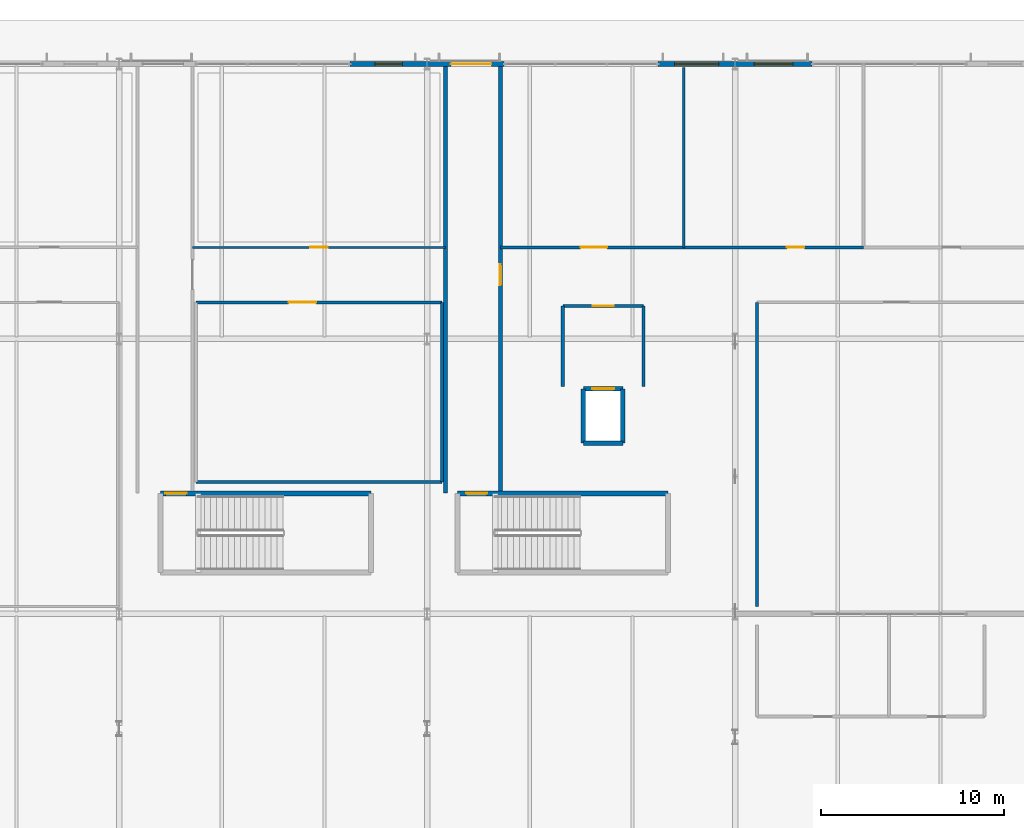
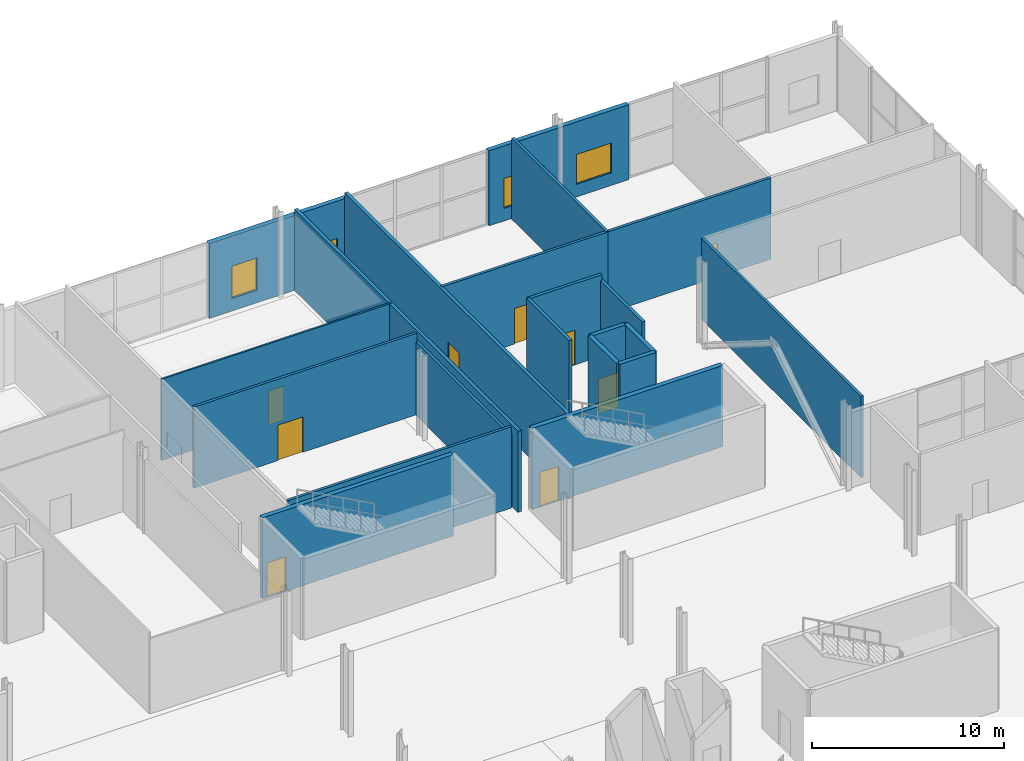
# One storey, part 66 of 87: 23 walls, 10 doors, 3 windows, 13 openings.
"""IFC4 building model written with IfcOpenShell, lengths in metres."""

from ifc_helpers import new_model, si_unit, direction, frame, frame_2d, origin, place, context, subcontext, project, spatial, rectangle, extrude, material, layer, layer_set, type_object, element, fill, save


model = new_model("IFC4")

# Units and contexts
model_context = context("Model", 3, precision=1e-05, world=origin(), true_north=direction((0.0, 1.0)))
body_context = subcontext(model_context, "Body", "Model", "MODEL_VIEW")
ifc_project = project(units=[si_unit("LENGTHUNIT", "METRE"), si_unit("AREAUNIT", "SQUARE_METRE"), si_unit("VOLUMEUNIT", "CUBIC_METRE"), si_unit("PLANEANGLEUNIT", "RADIAN"), si_unit("MASSUNIT", "GRAM", prefix="KILO")], contexts=[model_context])

# Site, building, storey
site_placement = place(None, origin())
site = spatial("IfcSite", under=ifc_project, at=site_placement, CompositionType="ELEMENT")
building_placement = place(site_placement, origin())
building = spatial("IfcBuilding", under=site, at=building_placement, Name="Kimbaza Rail Terminus", CompositionType="ELEMENT")
storey_placement = place(building_placement, origin())
storey = spatial("IfcBuildingStorey", under=building, at=storey_placement, Name="L00", CompositionType="ELEMENT", Elevation=0.0)

# Wall, opening, window
ifc_material_1 = material(Name="Precast concrete C40/50", Category="concrete")
ifc_layer_1 = layer(ifc_material_1, 0.280029296875)
ifc_layer_set_1 = layer_set([ifc_layer_1], Name="Precast concrete C40/50")
wall_type_1 = type_object("IfcWallType", Name="ARC-WL-EXT280", PredefinedType="STANDARD", material=ifc_layer_set_1)
wall_1_placement = place(storey_placement, frame((118.199951171875, 133.0, 0.0), z_axis=(0.0, 0.0, 1.0), x_axis=(1.0, 0.0, 0.0)))
wall_1 = element("IfcWall", 1, at=wall_1_placement, inside=storey, type_object=wall_type_1, Name="Operations North Pier L00 3B", PredefinedType="STANDARD", context=body_context, shape_type="SweptSolid", body=[
    extrude(rectangle(XDim=4.199951171875, YDim=0.280029296875, at=frame_2d((2.10009765625, 0.0))), origin(), (0.0, 0.0, 1.0), 4.764892578125),
])
opening_1_placement = place(wall_1_placement, frame((1.35009765625, 0.0, 0.800048828125)))
opening_1 = element("IfcOpeningElement", 2, at=opening_1_placement, cuts=wall_1, Name="Opening W-04", PredefinedType="OPENING", context=body_context, shape_type="SweptSolid", body=[
    extrude(rectangle(XDim=1.5, YDim=2.050048828125, at=frame_2d((0.75, 1.02490234375))), frame((0.0, 0.14990234375, 0.0), z_axis=(0.0, -1.0, 0.0), x_axis=(1.0, 0.0, 0.0)), (0.0, 0.0, 1.0), 0.300048828125),
])
ifc_material_2 = material(Name="Thermally broken aluminium and solar low-E glass", Category="aluminium")
window_type_1 = type_object("IfcWindowType", Name="ARC-WIN-W-04", PartitioningType="SINGLE_PANEL", PredefinedType="WINDOW", material=ifc_material_2)
window_1_placement = place(opening_1_placement, origin())
window_1 = element("IfcWindow", 3, at=window_1_placement, inside=storey, type_object=window_type_1, Name="North Facade Window W-04", OverallHeight=2.050048828125, OverallWidth=1.5, PartitioningType="SINGLE_PANEL", PredefinedType="WINDOW", context=body_context, shape_type="SweptSolid", body=[
    extrude(rectangle(XDim=1.5, YDim=2.050048828125, at=frame_2d((0.75, 1.02490234375))), frame((0.0, 0.030029296875, 0.0), z_axis=(0.0, -1.0, 0.0), x_axis=(1.0, 0.0, 0.0)), (0.0, 0.0, 1.0), 0.06005859375),
])
fill(opening_1, window_1)

# Wall, opening, door
wall_2_placement = place(storey_placement, frame((122.39990234375, 133.0, 0.0), z_axis=(0.0, 0.0, 1.0), x_axis=(1.0, 0.0, 0.0)))
wall_2 = element("IfcWall", 4, at=wall_2_placement, inside=storey, type_object=wall_type_1, Name="Operations North Pier L00 4A", PredefinedType="STANDARD", context=body_context, shape_type="SweptSolid", body=[
    extrude(rectangle(XDim=4.2001953125, YDim=0.280029296875, at=frame_2d((2.10009765625, 0.0))), origin(), (0.0, 0.0, 1.0), 4.764892578125),
])
opening_2_placement = place(wall_2_placement, frame((1.300048828125, 0.0, 0.0)))
opening_2 = element("IfcOpeningElement", 5, at=opening_2_placement, cuts=wall_2, Name="Opening D-EX2", PredefinedType="OPENING", context=body_context, shape_type="SweptSolid", body=[
    extrude(rectangle(XDim=2.199951171875, YDim=2.39990234375, at=frame_2d((1.10009765625, 1.199951171875))), frame((0.0, 0.14990234375, 0.0), z_axis=(0.0, -1.0, 0.0), x_axis=(1.0, 0.0, 0.0)), (0.0, 0.0, 1.0), 0.300048828125),
])
ifc_material_3 = material(Name="Anodised aluminium and toughened safety glass", Category="aluminium")
door_type_1 = type_object("IfcDoorType", Name="ARC-DR-EX220", OperationType="NOTDEFINED", PredefinedType="DOOR", material=ifc_material_3)
door_1_placement = place(opening_2_placement, origin())
door_1 = element("IfcDoor", 6, at=door_1_placement, inside=storey, type_object=door_type_1, Name="DR-EX-STE1", OperationType="SINGLE_SWING_LEFT", OverallHeight=2.39990234375, OverallWidth=2.199951171875, PredefinedType="DOOR", context=body_context, shape_type="SweptSolid", body=[
    extrude(rectangle(XDim=2.199951171875, YDim=2.39990234375, at=frame_2d((1.10009765625, 1.199951171875))), frame((0.0, 0.02490234375, 0.0), z_axis=(0.0, -1.0, 0.0), x_axis=(1.0, 0.0, 0.0)), (0.0, 0.0, 1.0), 0.050048828125),
])
fill(opening_2, door_1)

# Wall, opening, window
wall_3_placement = place(storey_placement, frame((135.0, 133.0, 0.0), z_axis=(0.0, 0.0, 1.0), x_axis=(1.0, 0.0, 0.0)))
wall_3 = element("IfcWall", 7, at=wall_3_placement, inside=storey, type_object=wall_type_1, Name="Operations North Pier L00 4B", PredefinedType="STANDARD", context=body_context, shape_type="SweptSolid", body=[
    extrude(rectangle(XDim=4.199951171875, YDim=0.280029296875, at=frame_2d((2.10009765625, 0.0))), origin(), (0.0, 0.0, 1.0), 4.764892578125),
])
opening_3_placement = place(wall_3_placement, frame((0.89990234375, 0.0, 0.800048828125)))
opening_3 = element("IfcOpeningElement", 8, at=opening_3_placement, cuts=wall_3, Name="Opening W-05", PredefinedType="OPENING", context=body_context, shape_type="SweptSolid", body=[
    extrude(rectangle(XDim=2.39990234375, YDim=1.89990234375, at=frame_2d((1.199951171875, 0.949951171875))), frame((0.0, 0.14990234375, 0.0), z_axis=(0.0, -1.0, 0.0), x_axis=(1.0, 0.0, 0.0)), (0.0, 0.0, 1.0), 0.300048828125),
])
ifc_material_4 = material(Name="Thermally broken aluminium and solar low-E glass", Category="aluminium")
window_type_2 = type_object("IfcWindowType", Name="ARC-WIN-W-05", PartitioningType="SINGLE_PANEL", PredefinedType="WINDOW", material=ifc_material_4)
window_2_placement = place(opening_3_placement, origin())
window_2 = element("IfcWindow", 9, at=window_2_placement, inside=storey, type_object=window_type_2, Name="North Facade Window W-05", OverallHeight=1.89990234375, OverallWidth=2.39990234375, PartitioningType="SINGLE_PANEL", PredefinedType="WINDOW", context=body_context, shape_type="SweptSolid", body=[
    extrude(rectangle(XDim=2.39990234375, YDim=1.89990234375, at=frame_2d((1.199951171875, 0.949951171875))), frame((0.0, 0.030029296875, 0.0), z_axis=(0.0, -1.0, 0.0), x_axis=(1.0, 0.0, 0.0)), (0.0, 0.0, 1.0), 0.06005859375),
])
fill(opening_3, window_2)

wall_4_placement = place(storey_placement, frame((139.199951171875, 133.0, 0.0), z_axis=(0.0, 0.0, 1.0), x_axis=(1.0, 0.0, 0.0)))
wall_4 = element("IfcWall", 10, at=wall_4_placement, inside=storey, type_object=wall_type_1, Name="Operations North Pier L00 5A", PredefinedType="STANDARD", context=body_context, shape_type="SweptSolid", body=[
    extrude(rectangle(XDim=4.199951171875, YDim=0.280029296875, at=frame_2d((2.10009765625, 0.0))), origin(), (0.0, 0.0, 1.0), 4.764892578125),
])
opening_4_placement = place(wall_4_placement, frame((1.050048828125, 0.0, 0.800048828125)))
opening_4 = element("IfcOpeningElement", 11, at=opening_4_placement, cuts=wall_4, Name="Opening W-06", PredefinedType="OPENING", context=body_context, shape_type="SweptSolid", body=[
    extrude(rectangle(XDim=2.10009765625, YDim=1.89990234375, at=frame_2d((1.050048828125, 0.949951171875))), frame((0.0, 0.14990234375, 0.0), z_axis=(0.0, -1.0, 0.0), x_axis=(1.0, 0.0, 0.0)), (0.0, 0.0, 1.0), 0.300048828125),
])
ifc_material_5 = material(Name="Thermally broken aluminium and solar low-E glass", Category="aluminium")
window_type_3 = type_object("IfcWindowType", Name="ARC-WIN-W-06", PartitioningType="SINGLE_PANEL", PredefinedType="WINDOW", material=ifc_material_5)
window_3_placement = place(opening_4_placement, origin())
window_3 = element("IfcWindow", 12, at=window_3_placement, inside=storey, type_object=window_type_3, Name="North Facade Window W-06", OverallHeight=1.89990234375, OverallWidth=2.10009765625, PartitioningType="SINGLE_PANEL", PredefinedType="WINDOW", context=body_context, shape_type="SweptSolid", body=[
    extrude(rectangle(XDim=2.10009765625, YDim=1.89990234375, at=frame_2d((1.050048828125, 0.949951171875))), frame((0.0, 0.030029296875, 0.0), z_axis=(0.0, -1.0, 0.0), x_axis=(1.0, 0.0, 0.0)), (0.0, 0.0, 1.0), 0.06005859375),
])
fill(opening_4, window_3)

# Wall
ifc_material_6 = material(Name="Concrete blockwork C30/37", Category="masonry")
ifc_layer_2 = layer(ifc_material_6, 0.179931640625)
ifc_layer_set_2 = layer_set([ifc_layer_2], Name="Concrete blockwork C30/37")
wall_type_2 = type_object("IfcWallType", Name="ARC-WL-FIRE180", PredefinedType="PARTITIONING", material=ifc_layer_set_2)
wall_5_placement = place(storey_placement, frame((134.199951171875, 115.39990234375, 0.0), z_axis=(0.0, 0.0, 1.0), x_axis=(0.0, 1.0, 0.0)))
element("IfcWall", 13, at=wall_5_placement, inside=storey, type_object=wall_type_2, Name="Firefighting Lobby LF-02 Partition (east)", PredefinedType="PARTITIONING", context=body_context, shape_type="SweptSolid", body=[
    extrude(rectangle(XDim=4.400146484375, YDim=0.179931640625, at=frame_2d((2.2001953125, 0.0))), origin(), (0.0, 0.0, 1.0), 4.794921875),
])

# Wall, opening, door
wall_6_placement = place(storey_placement, frame((134.199951171875, 119.800048828125, 0.0), z_axis=(0.0, 0.0, 1.0), x_axis=(-1.0, 0.0, 0.0)))
wall_6 = element("IfcWall", 14, at=wall_6_placement, inside=storey, type_object=wall_type_2, Name="Firefighting Lobby LF-02 Partition (north)", PredefinedType="PARTITIONING", context=body_context, shape_type="SweptSolid", body=[
    extrude(rectangle(XDim=4.39990234375, YDim=0.179931640625, at=frame_2d((2.199951171875, 0.0))), origin(), (0.0, 0.0, 1.0), 5.159912109375),
])
opening_5_placement = place(wall_6_placement, frame((2.77490234375, 0.0, 0.0), z_axis=(0.0, 0.0, 1.0), x_axis=(-1.0, 0.0, 0.0)))
opening_5 = element("IfcOpeningElement", 15, at=opening_5_placement, cuts=wall_6, Name="Opening FD-03", PredefinedType="OPENING", context=body_context, shape_type="SweptSolid", body=[
    extrude(rectangle(XDim=1.14990234375, YDim=2.199951171875, at=frame_2d((0.574951171875, 1.10009765625))), frame((0.0, 0.099853515625, 0.0), z_axis=(0.0, -1.0, 0.0), x_axis=(1.0, 0.0, 0.0)), (0.0, 0.0, 1.0), 0.199951171875),
])
ifc_material_7 = material(Name="Firefighting lobby self-closing steel door", Category="steel")
door_type_2 = type_object("IfcDoorType", Name="ARC-DR-FD115", OperationType="NOTDEFINED", PredefinedType="DOOR", material=ifc_material_7)
door_2_placement = place(opening_5_placement, origin())
door_2 = element("IfcDoor", 16, at=door_2_placement, inside=storey, type_object=door_type_2, Name="IDR-SPC-FFL-LF-02-L00", OperationType="SINGLE_SWING_LEFT", OverallHeight=2.199951171875, OverallWidth=1.14990234375, PredefinedType="DOOR", context=body_context, shape_type="SweptSolid", body=[
    extrude(rectangle(XDim=1.14990234375, YDim=2.199951171875, at=frame_2d((0.574951171875, 1.10009765625))), frame((0.0, 0.02490234375, 0.0), z_axis=(0.0, -1.0, 0.0), x_axis=(1.0, 0.0, 0.0)), (0.0, 0.0, 1.0), 0.050048828125),
])
fill(opening_5, door_2)

# Wall
wall_7_placement = place(storey_placement, frame((129.800048828125, 119.800048828125, 0.0), z_axis=(0.0, 0.0, 1.0), x_axis=(0.0, -1.0, 0.0)))
element("IfcWall", 17, at=wall_7_placement, inside=storey, type_object=wall_type_2, Name="Firefighting Lobby LF-02 Partition (west)", PredefinedType="PARTITIONING", context=body_context, shape_type="SweptSolid", body=[
    extrude(rectangle(XDim=4.400146484375, YDim=0.179931640625, at=frame_2d((2.2001953125, 0.0))), origin(), (0.0, 0.0, 1.0), 5.159912109375),
])

# Wall, opening, door
ifc_material_8 = material(Name="Concrete blockwork C30/37", Category="masonry")
ifc_layer_3 = layer(ifc_material_8, 0.199951171875)
ifc_layer_set_3 = layer_set([ifc_layer_3], Name="Concrete blockwork C30/37")
wall_type_3 = type_object("IfcWallType", Name="ARC-WL-FIRE200", PredefinedType="PARTITIONING", material=ifc_layer_set_3)
wall_8_placement = place(storey_placement, frame((126.39990234375, 109.60009765625, 0.0), z_axis=(0.0, 0.0, 1.0), x_axis=(0.0, 1.0, 0.0)))
wall_8 = element("IfcWall", 18, at=wall_8_placement, inside=storey, type_object=wall_type_3, Name="Protected Exit Corridor ST-E1 Partition (east)", PredefinedType="PARTITIONING", context=body_context, shape_type="SweptSolid", body=[
    extrude(rectangle(XDim=23.260009765625, YDim=0.199951171875, at=frame_2d((11.6298828125, 0.0))), origin(), (0.0, 0.0, 1.0), 5.159912109375),
])
opening_6_placement = place(wall_8_placement, frame((12.474853515625, 0.0, 0.0), z_axis=(0.0, 0.0, 1.0), x_axis=(-1.0, 0.0, 0.0)))
opening_6 = element("IfcOpeningElement", 19, at=opening_6_placement, cuts=wall_8, Name="Opening FD-03", PredefinedType="OPENING", context=body_context, shape_type="SweptSolid", body=[
    extrude(rectangle(XDim=1.14990234375, YDim=2.199951171875, at=frame_2d((0.574951171875, 1.10009765625))), frame((0.0, 0.10986328125, 0.0), z_axis=(0.0, -1.0, 0.0), x_axis=(1.0, 0.0, 0.0)), (0.0, 0.0, 1.0), 0.219970703125),
])
door_3_placement = place(opening_6_placement, origin())
door_3 = element("IfcDoor", 20, at=door_3_placement, inside=storey, type_object=door_type_2, Name="IDR-SPC-EXV-STE1", OperationType="SINGLE_SWING_RIGHT", OverallHeight=2.199951171875, OverallWidth=1.14990234375, PredefinedType="DOOR", context=body_context, shape_type="SweptSolid", body=[
    extrude(rectangle(XDim=1.14990234375, YDim=2.199951171875, at=frame_2d((0.574951171875, 1.10009765625))), frame((0.0, 0.02490234375, 0.0), z_axis=(0.0, -1.0, 0.0), x_axis=(1.0, 0.0, 0.0)), (0.0, 0.0, 1.0), 0.050048828125),
])
fill(opening_6, door_3)

# Wall
wall_9_placement = place(storey_placement, frame((123.39990234375, 132.860107421875, 0.0), z_axis=(0.0, 0.0, 1.0), x_axis=(0.0, -1.0, 0.0)))
element("IfcWall", 21, at=wall_9_placement, inside=storey, type_object=wall_type_3, Name="Protected Exit Corridor ST-E1 Partition (west)", PredefinedType="PARTITIONING", context=body_context, shape_type="SweptSolid", body=[
    extrude(rectangle(XDim=23.260009765625, YDim=0.199951171875, at=frame_2d((11.6298828125, 0.0))), origin(), (0.0, 0.0, 1.0), 5.159912109375),
])

# Wall, opening, door
ifc_material_9 = material(Name="Demountable acoustic glass wall", Category="glass")
ifc_layer_4 = layer(ifc_material_9, 0.110107421875)
ifc_layer_set_4 = layer_set([ifc_layer_4], Name="Demountable acoustic glass wall")
wall_type_4 = type_object("IfcWallType", Name="ARC-WL-MOV110", PredefinedType="MOVABLE", material=ifc_layer_set_4)
wall_10_placement = place(storey_placement, frame((109.60009765625, 123.0, 0.0), z_axis=(0.0, 0.0, 1.0), x_axis=(1.0, 0.0, 0.0)))
wall_10 = element("IfcWall", 22, at=wall_10_placement, inside=storey, type_object=wall_type_4, Name="Train Crew Locker and Shower Suite Partition (south)", PredefinedType="MOVABLE", context=body_context, shape_type="SweptSolid", body=[
    extrude(rectangle(XDim=13.7998046875, YDim=0.110107421875, at=frame_2d((6.89990234375, 0.0))), origin(), (0.0, 0.0, 1.0), 5.159912109375),
])
opening_7_placement = place(wall_10_placement, frame((6.425048828125, 0.0, 0.0)))
opening_7 = element("IfcOpeningElement", 23, at=opening_7_placement, cuts=wall_10, Name="Opening ID-06", PredefinedType="OPENING", context=body_context, shape_type="SweptSolid", body=[
    extrude(rectangle(XDim=0.949951171875, YDim=2.14990234375, at=frame_2d((0.47509765625, 1.074951171875))), frame((0.0, 0.06494140625, 0.0), z_axis=(0.0, -1.0, 0.0), x_axis=(1.0, 0.0, 0.0)), (0.0, 0.0, 1.0), 0.130126953125),
])
ifc_material_10 = material(Name="Accessible washroom outward-capable door", Category="wood")
door_type_3 = type_object("IfcDoorType", Name="ARC-DR-ID095", OperationType="NOTDEFINED", PredefinedType="DOOR", material=ifc_material_10)
door_4_placement = place(opening_7_placement, origin())
door_4 = element("IfcDoor", 24, at=door_4_placement, inside=storey, type_object=door_type_3, Name="IDR-SPC-V5N-L00-05", OperationType="SINGLE_SWING_LEFT", OverallHeight=2.14990234375, OverallWidth=0.949951171875, PredefinedType="DOOR", context=body_context, shape_type="SweptSolid", body=[
    extrude(rectangle(XDim=0.949951171875, YDim=2.14990234375, at=frame_2d((0.47509765625, 1.074951171875))), frame((0.0, 0.02490234375, 0.0), z_axis=(0.0, -1.0, 0.0), x_axis=(1.0, 0.0, 0.0)), (0.0, 0.0, 1.0), 0.050048828125),
])
fill(opening_7, door_4)

# Wall
ifc_material_11 = material(Name="Acoustic gypsum stud partition", Category="gypsum")
ifc_layer_5 = layer(ifc_material_11, 0.14990234375)
ifc_layer_set_5 = layer_set([ifc_layer_5], Name="Acoustic gypsum stud partition")
wall_type_5 = type_object("IfcWallType", Name="ARC-WL-PART150", PredefinedType="PARTITIONING", material=ifc_layer_set_5)
wall_11_placement = place(storey_placement, frame((140.39990234375, 120.0, 0.0), z_axis=(0.0, 0.0, 1.0), x_axis=(0.0, -1.0, 0.0)))
element("IfcWall", 25, at=wall_11_placement, inside=storey, type_object=wall_type_5, Name="L00 East Telecoms Technical Office Partition (west)", PredefinedType="PARTITIONING", context=body_context, shape_type="SweptSolid", body=[
    extrude(rectangle(XDim=16.60009765625, YDim=0.14990234375, at=frame_2d((8.300048828125, 0.0))), origin(), (0.0, 0.0, 1.0), 5.159912109375),
])

# Wall, opening, door
ifc_material_12 = material(Name="Acoustic gypsum stud partition", Category="gypsum")
ifc_layer_6 = layer(ifc_material_12, 0.159912109375)
ifc_layer_set_6 = layer_set([ifc_layer_6], Name="Acoustic gypsum stud partition")
wall_type_6 = type_object("IfcWallType", Name="ARC-WL-PART160", PredefinedType="PARTITIONING", material=ifc_layer_set_6)
wall_12_placement = place(storey_placement, frame((126.39990234375, 123.0, 0.0), z_axis=(0.0, 0.0, 1.0), x_axis=(1.0, 0.0, 0.0)))
wall_12 = element("IfcWall", 26, at=wall_12_placement, inside=storey, type_object=wall_type_6, Name="Lost Property and Baggage Registry Partition (south)", PredefinedType="PARTITIONING", context=body_context, shape_type="SweptSolid", body=[
    extrude(rectangle(XDim=10.0, YDim=0.159912109375, at=frame_2d((5.0, 0.0))), origin(), (0.0, 0.0, 1.0), 5.159912109375),
])
opening_8_placement = place(wall_12_placement, frame((5.824951171875, 0.0, 0.0), z_axis=(0.0, 0.0, 1.0), x_axis=(-1.0, 0.0, 0.0)))
opening_8 = element("IfcOpeningElement", 27, at=opening_8_placement, cuts=wall_12, Name="Opening ID-07", PredefinedType="OPENING", context=body_context, shape_type="SweptSolid", body=[
    extrude(rectangle(XDim=1.449951171875, YDim=2.25, at=frame_2d((0.72509765625, 1.125))), frame((0.0, 0.08984375, 0.0), z_axis=(0.0, -1.0, 0.0), x_axis=(1.0, 0.0, 0.0)), (0.0, 0.0, 1.0), 0.179931640625),
])
ifc_material_13 = material(Name="Retail shopfront glazed entrance door", Category="aluminium")
door_type_4 = type_object("IfcDoorType", Name="ARC-DR-ID145", OperationType="NOTDEFINED", PredefinedType="DOOR", material=ifc_material_13)
door_5_placement = place(opening_8_placement, origin())
door_5 = element("IfcDoor", 28, at=door_5_placement, inside=storey, type_object=door_type_4, Name="IDR-SPC-V5N-L00-06", OperationType="SINGLE_SWING_RIGHT", OverallHeight=2.25, OverallWidth=1.449951171875, PredefinedType="DOOR", context=body_context, shape_type="SweptSolid", body=[
    extrude(rectangle(XDim=1.449951171875, YDim=2.25, at=frame_2d((0.72509765625, 1.125))), frame((0.0, 0.02490234375, 0.0), z_axis=(0.0, -1.0, 0.0), x_axis=(1.0, 0.0, 0.0)), (0.0, 0.0, 1.0), 0.050048828125),
])
fill(opening_8, door_5)

# Walls
wall_13_placement = place(storey_placement, frame((136.39990234375, 123.0, 0.0), z_axis=(0.0, 0.0, 1.0), x_axis=(0.0, 1.0, 0.0)))
element("IfcWall", 29, at=wall_13_placement, inside=storey, type_object=wall_type_6, Name="Lost Property and Baggage Registry Partition (east)", PredefinedType="PARTITIONING", context=body_context, shape_type="SweptSolid", body=[
    extrude(rectangle(XDim=9.800048828125, YDim=0.159912109375, at=frame_2d((4.89990234375, 0.0))), origin(), (0.0, 0.0, 1.0), 5.159912109375),
])
wall_14_placement = place(storey_placement, frame((109.800048828125, 110.199951171875, 0.0), z_axis=(0.0, 0.0, 1.0), x_axis=(1.0, 0.0, 0.0)))
element("IfcWall", 30, at=wall_14_placement, inside=storey, type_object=wall_type_6, Name="L00 Rolling Stock Rostering Studio Partition (south)", PredefinedType="PARTITIONING", context=body_context, shape_type="SweptSolid", body=[
    extrude(rectangle(XDim=13.39990234375, YDim=0.159912109375, at=frame_2d((6.699951171875, 0.0))), origin(), (0.0, 0.0, 1.0), 5.159912109375),
])
wall_15_placement = place(storey_placement, frame((123.199951171875, 110.199951171875, 0.0), z_axis=(0.0, 0.0, 1.0), x_axis=(0.0, 1.0, 0.0)))
element("IfcWall", 31, at=wall_15_placement, inside=storey, type_object=wall_type_6, Name="L00 Rolling Stock Rostering Studio Partition (east)", PredefinedType="PARTITIONING", context=body_context, shape_type="SweptSolid", body=[
    extrude(rectangle(XDim=9.800048828125, YDim=0.159912109375, at=frame_2d((4.89990234375, 0.0))), origin(), (0.0, 0.0, 1.0), 4.655029296875),
])

# Wall, opening, door
wall_16_placement = place(storey_placement, frame((123.199951171875, 120.0, 0.0), z_axis=(0.0, 0.0, 1.0), x_axis=(-1.0, 0.0, 0.0)))
wall_16 = element("IfcWall", 32, at=wall_16_placement, inside=storey, type_object=wall_type_6, Name="L00 Rolling Stock Rostering Studio Partition (north)", PredefinedType="PARTITIONING", context=body_context, shape_type="SweptSolid", body=[
    extrude(rectangle(XDim=13.39990234375, YDim=0.159912109375, at=frame_2d((6.699951171875, 0.0))), origin(), (0.0, 0.0, 1.0), 5.159912109375),
])
opening_9_placement = place(wall_16_placement, frame((8.35009765625, 0.0, 0.0), z_axis=(0.0, 0.0, 1.0), x_axis=(-1.0, 0.0, 0.0)))
opening_9 = element("IfcOpeningElement", 33, at=opening_9_placement, cuts=wall_16, Name="Opening ID-01", PredefinedType="OPENING", context=body_context, shape_type="SweptSolid", body=[
    extrude(rectangle(XDim=1.5, YDim=2.25, at=frame_2d((0.75, 1.125))), frame((0.0, 0.08984375, 0.0), z_axis=(0.0, -1.0, 0.0), x_axis=(1.0, 0.0, 0.0)), (0.0, 0.0, 1.0), 0.179931640625),
])
ifc_material_14 = material(Name="Anodised aluminium glazed concourse door", Category="aluminium")
door_type_5 = type_object("IfcDoorType", Name="ARC-DR-ID150", OperationType="NOTDEFINED", PredefinedType="DOOR", material=ifc_material_14)
door_6_placement = place(opening_9_placement, origin())
door_6 = element("IfcDoor", 34, at=door_6_placement, inside=storey, type_object=door_type_5, Name="IDR-SPC-V5S-L00-4", OperationType="SINGLE_SWING_RIGHT", OverallHeight=2.25, OverallWidth=1.5, PredefinedType="DOOR", context=body_context, shape_type="SweptSolid", body=[
    extrude(rectangle(XDim=1.5, YDim=2.25, at=frame_2d((0.75, 1.125))), frame((0.0, 0.02490234375, 0.0), z_axis=(0.0, -1.0, 0.0), x_axis=(1.0, 0.0, 0.0)), (0.0, 0.0, 1.0), 0.050048828125),
])
fill(opening_9, door_6)

ifc_material_15 = material(Name="Moisture-resistant blockwork C25/30", Category="masonry")
ifc_layer_7 = layer(ifc_material_15, 0.169921875)
ifc_layer_set_7 = layer_set([ifc_layer_7], Name="Moisture-resistant blockwork C25/30")
wall_type_7 = type_object("IfcWallType", Name="ARC-WL-PLMB170", PredefinedType="PLUMBINGWALL", material=ifc_layer_set_7)
wall_17_placement = place(storey_placement, frame((136.39990234375, 123.0, 0.0), z_axis=(0.0, 0.0, 1.0), x_axis=(1.0, 0.0, 0.0)))
wall_17 = element("IfcWall", 35, at=wall_17_placement, inside=storey, type_object=wall_type_7, Name="Operations Male and Female WC Partition (south)", PredefinedType="PLUMBINGWALL", context=body_context, shape_type="SweptSolid", body=[
    extrude(rectangle(XDim=9.800048828125, YDim=0.169921875, at=frame_2d((4.89990234375, 0.0))), origin(), (0.0, 0.0, 1.0), 5.159912109375),
])
opening_10_placement = place(wall_17_placement, frame((5.625, 0.0, 0.0)))
opening_10 = element("IfcOpeningElement", 36, at=opening_10_placement, cuts=wall_17, Name="Opening ID-06", PredefinedType="OPENING", context=body_context, shape_type="SweptSolid", body=[
    extrude(rectangle(XDim=0.949951171875, YDim=2.14990234375, at=frame_2d((0.47509765625, 1.074951171875))), frame((0.0, 0.094970703125, 0.0), z_axis=(0.0, -1.0, 0.0), x_axis=(1.0, 0.0, 0.0)), (0.0, 0.0, 1.0), 0.18994140625),
])
door_7_placement = place(opening_10_placement, origin())
door_7 = element("IfcDoor", 37, at=door_7_placement, inside=storey, type_object=door_type_3, Name="IDR-SPC-V5N-L00-07", OperationType="SINGLE_SWING_LEFT", OverallHeight=2.14990234375, OverallWidth=0.949951171875, PredefinedType="DOOR", context=body_context, shape_type="SweptSolid", body=[
    extrude(rectangle(XDim=0.949951171875, YDim=2.14990234375, at=frame_2d((0.47509765625, 1.074951171875))), frame((0.0, 0.02490234375, 0.0), z_axis=(0.0, -1.0, 0.0), x_axis=(1.0, 0.0, 0.0)), (0.0, 0.0, 1.0), 0.050048828125),
])
fill(opening_10, door_7)

# Walls
ifc_material_16 = material(Name="Concrete C40/50", Category="concrete")
ifc_layer_8 = layer(ifc_material_16, 0.25)
ifc_layer_set_8 = layer_set([ifc_layer_8], Name="Concrete C40/50")
wall_type_8 = type_object("IfcWallType", Name="STR-WL-CORE250", PredefinedType="SHEAR", material=ifc_layer_set_8)
wall_18_placement = place(storey_placement, frame((130.919921875, 112.320068359375, 0.0), z_axis=(0.0, 0.0, 1.0), x_axis=(1.0, 0.0, 0.0)))
element("IfcWall", 38, at=wall_18_placement, inside=storey, type_object=wall_type_8, Name="Lift Shaft Wall LF-02 L00-1", PredefinedType="SHEAR", context=body_context, shape_type="SweptSolid", body=[
    extrude(rectangle(XDim=2.16015625, YDim=0.25, at=frame_2d((1.080078125, 0.0))), origin(), (0.0, 0.0, 1.0), 5.159912109375),
])
wall_19_placement = place(storey_placement, frame((133.080078125, 112.320068359375, 0.0), z_axis=(0.0, 0.0, 1.0), x_axis=(0.0, 1.0, 0.0)))
element("IfcWall", 39, at=wall_19_placement, inside=storey, type_object=wall_type_8, Name="Lift Shaft Wall LF-02 L00-2", PredefinedType="SHEAR", context=body_context, shape_type="SweptSolid", body=[
    extrude(rectangle(XDim=2.9599609375, YDim=0.25, at=frame_2d((1.47998046875, 0.0))), origin(), (0.0, 0.0, 1.0), 5.159912109375),
])

# Wall, opening, door
wall_20_placement = place(storey_placement, frame((133.080078125, 115.280029296875, 0.0), z_axis=(0.0, 0.0, 1.0), x_axis=(-1.0, 0.0, 0.0)))
wall_20 = element("IfcWall", 40, at=wall_20_placement, inside=storey, type_object=wall_type_8, Name="Lift Shaft Wall LF-02 L00-3", PredefinedType="SHEAR", context=body_context, shape_type="SweptSolid", body=[
    extrude(rectangle(XDim=2.16015625, YDim=0.25, at=frame_2d((1.080078125, 0.0))), origin(), (0.0, 0.0, 1.0), 5.159912109375),
])
opening_11_placement = place(wall_20_placement, frame((0.47998046875, 0.0, 0.0)))
opening_11 = element("IfcOpeningElement", 41, at=opening_11_placement, cuts=wall_20, Name="Opening LD-02", PredefinedType="OPENING", context=body_context, shape_type="SweptSolid", body=[
    extrude(rectangle(XDim=1.199951171875, YDim=2.199951171875, at=frame_2d((0.60009765625, 1.10009765625))), frame((0.0, 0.135009765625, 0.0), z_axis=(0.0, -1.0, 0.0), x_axis=(1.0, 0.0, 0.0)), (0.0, 0.0, 1.0), 0.27001953125),
])
ifc_material_17 = material(Name="Firefighting stainless steel landing door", Category="steel")
door_type_6 = type_object("IfcDoorType", Name="ARC-DR-LD120", OperationType="NOTDEFINED", PredefinedType="DOOR", material=ifc_material_17)
door_8_placement = place(opening_11_placement, origin())
door_8 = element("IfcDoor", 42, at=door_8_placement, inside=storey, type_object=door_type_6, Name="LDR-LF-02-L00", OperationType="SLIDING_TO_RIGHT", OverallHeight=2.199951171875, OverallWidth=1.199951171875, PredefinedType="DOOR", context=body_context, shape_type="SweptSolid", body=[
    extrude(rectangle(XDim=1.199951171875, YDim=2.199951171875, at=frame_2d((0.60009765625, 1.10009765625))), frame((0.0, 0.02490234375, 0.0), z_axis=(0.0, -1.0, 0.0), x_axis=(1.0, 0.0, 0.0)), (0.0, 0.0, 1.0), 0.050048828125),
])
fill(opening_11, door_8)

# Wall
wall_21_placement = place(storey_placement, frame((130.919921875, 115.280029296875, 0.0), z_axis=(0.0, 0.0, 1.0), x_axis=(0.0, -1.0, 0.0)))
element("IfcWall", 43, at=wall_21_placement, inside=storey, type_object=wall_type_8, Name="Lift Shaft Wall LF-02 L00-4", PredefinedType="SHEAR", context=body_context, shape_type="SweptSolid", body=[
    extrude(rectangle(XDim=2.9599609375, YDim=0.25, at=frame_2d((1.47998046875, 0.0))), origin(), (0.0, 0.0, 1.0), 5.159912109375),
])

# Wall, opening, door
ifc_material_18 = material(Name="Concrete C40/50", Category="concrete")
ifc_layer_9 = layer(ifc_material_18, 0.280029296875)
ifc_layer_set_9 = layer_set([ifc_layer_9], Name="Concrete C40/50")
wall_type_9 = type_object("IfcWallType", Name="STR-WL-CORE280", PredefinedType="SHEAR", material=ifc_layer_set_9)
wall_22_placement = place(storey_placement, frame((119.340087890625, 109.580078125, 0.0), z_axis=(0.0, 0.0, 1.0), x_axis=(-1.0, 0.0, 0.0)))
wall_22 = element("IfcWall", 44, at=wall_22_placement, inside=storey, type_object=wall_type_9, Name="Operations Central Exit Stair Shaft Wall L00-3", PredefinedType="SHEAR", context=body_context, shape_type="SweptSolid", body=[
    extrude(rectangle(XDim=11.47998046875, YDim=0.280029296875, at=frame_2d((5.739990234375, 0.0))), origin(), (0.0, 0.0, 1.0), 5.159912109375),
])
opening_12_placement = place(wall_22_placement, frame((10.06494140625, 0.0, 0.0)))
opening_12 = element("IfcOpeningElement", 45, at=opening_12_placement, cuts=wall_22, Name="Opening FD-03", PredefinedType="OPENING", context=body_context, shape_type="SweptSolid", body=[
    extrude(rectangle(XDim=1.14990234375, YDim=2.199951171875, at=frame_2d((0.574951171875, 1.10009765625))), frame((0.0, 0.14990234375, 0.0), z_axis=(0.0, -1.0, 0.0), x_axis=(1.0, 0.0, 0.0)), (0.0, 0.0, 1.0), 0.300048828125),
])
door_9_placement = place(opening_12_placement, origin())
door_9 = element("IfcDoor", 46, at=door_9_placement, inside=storey, type_object=door_type_2, Name="SDR-ST-M1-L00", OperationType="SINGLE_SWING_RIGHT", OverallHeight=2.199951171875, OverallWidth=1.14990234375, PredefinedType="DOOR", context=body_context, shape_type="SweptSolid", body=[
    extrude(rectangle(XDim=1.14990234375, YDim=2.199951171875, at=frame_2d((0.574951171875, 1.10009765625))), frame((0.0, 0.02490234375, 0.0), z_axis=(0.0, -1.0, 0.0), x_axis=(1.0, 0.0, 0.0)), (0.0, 0.0, 1.0), 0.050048828125),
])
fill(opening_12, door_9)

wall_23_placement = place(storey_placement, frame((135.5400390625, 109.580078125, 0.0), z_axis=(0.0, 0.0, 1.0), x_axis=(-1.0, 0.0, 0.0)))
wall_23 = element("IfcWall", 47, at=wall_23_placement, inside=storey, type_object=wall_type_9, Name="Operations East Exit Stair Shaft Wall L00-3", PredefinedType="SHEAR", context=body_context, shape_type="SweptSolid", body=[
    extrude(rectangle(XDim=11.47998046875, YDim=0.280029296875, at=frame_2d((5.739990234375, 0.0))), origin(), (0.0, 0.0, 1.0), 5.159912109375),
])
opening_13_placement = place(wall_23_placement, frame((9.864990234375, 0.0, 0.0)))
opening_13 = element("IfcOpeningElement", 48, at=opening_13_placement, cuts=wall_23, Name="Opening FD-03", PredefinedType="OPENING", context=body_context, shape_type="SweptSolid", body=[
    extrude(rectangle(XDim=1.14990234375, YDim=2.199951171875, at=frame_2d((0.574951171875, 1.10009765625))), frame((0.0, 0.14990234375, 0.0), z_axis=(0.0, -1.0, 0.0), x_axis=(1.0, 0.0, 0.0)), (0.0, 0.0, 1.0), 0.300048828125),
])
door_10_placement = place(opening_13_placement, origin())
door_10 = element("IfcDoor", 49, at=door_10_placement, inside=storey, type_object=door_type_2, Name="SDR-ST-E1-L00", OperationType="SINGLE_SWING_RIGHT", OverallHeight=2.199951171875, OverallWidth=1.14990234375, PredefinedType="DOOR", context=body_context, shape_type="SweptSolid", body=[
    extrude(rectangle(XDim=1.14990234375, YDim=2.199951171875, at=frame_2d((0.574951171875, 1.10009765625))), frame((0.0, 0.02490234375, 0.0), z_axis=(0.0, -1.0, 0.0), x_axis=(1.0, 0.0, 0.0)), (0.0, 0.0, 1.0), 0.050048828125),
])
fill(opening_13, door_10)

save(model, "model.ifc")
